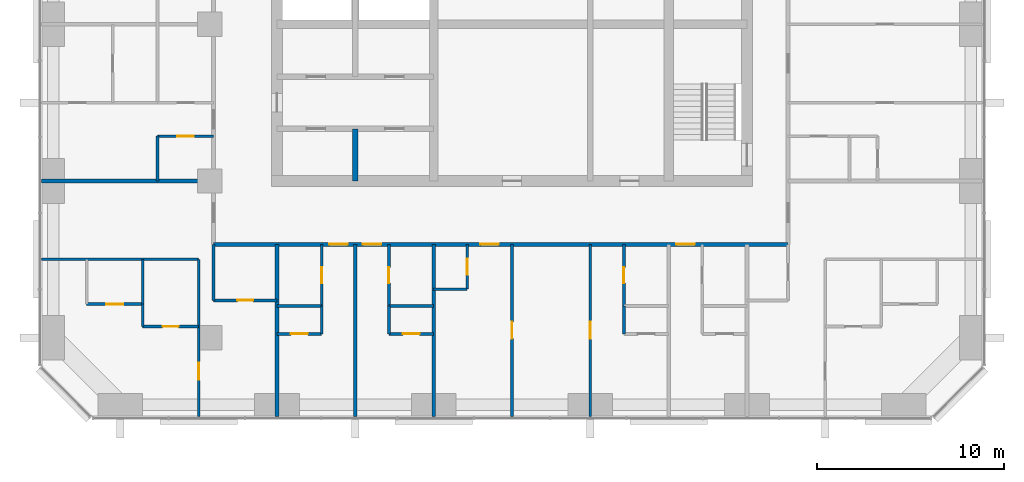
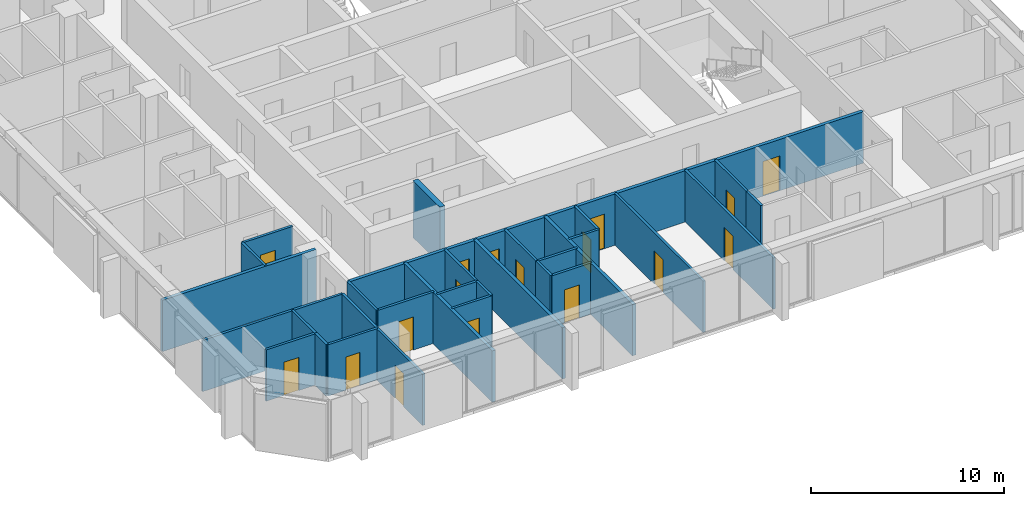
# One storey, part 8 of 14: 30 walls, 17 doors, 17 openings.
"""IFC4 building model written with IfcOpenShell, lengths in metres."""

from ifc_helpers import new_model, si_unit, direction, frame, frame_2d, origin, place, context, subcontext, project, spatial, rectangle, extrude, material, layer, layer_set, type_object, element, fill, save


model = new_model("IFC4")

# Units and contexts
model_context = context("Model", 3, precision=1e-05, world=origin(), true_north=direction((0.0, 1.0)))
body_context = subcontext(model_context, "Body", "Model", "MODEL_VIEW")
ifc_project = project(units=[si_unit("LENGTHUNIT", "METRE"), si_unit("AREAUNIT", "SQUARE_METRE"), si_unit("VOLUMEUNIT", "CUBIC_METRE"), si_unit("PLANEANGLEUNIT", "RADIAN"), si_unit("MASSUNIT", "GRAM", prefix="KILO")], contexts=[model_context])

# Site, building, storey
site_placement = place(None, origin())
site = spatial("IfcSite", under=ifc_project, at=site_placement, CompositionType="ELEMENT")
building_placement = place(site_placement, origin())
building = spatial("IfcBuilding", under=site, at=building_placement, Name="Dunama Terrace Hotel", CompositionType="ELEMENT")
storey_placement = place(building_placement, frame((0.0, 0.0, 198.60009765625)))
storey = spatial("IfcBuildingStorey", under=building, at=storey_placement, Name="L51", CompositionType="ELEMENT", Elevation=198.60009765625)

# Walls
ifc_material_1 = material(Name="Gypsum board partition", Category="masonry")
ifc_layer_1 = layer(ifc_material_1, 0.14990234375)
ifc_layer_set_1 = layer_set([ifc_layer_1], Name="Bathroom partition 150")
wall_type_1 = type_object("IfcWallType", Name="Bathroom partition 150", PredefinedType="PARTITIONING", material=ifc_layer_set_1)
wall_1_placement = place(storey_placement, frame((9.60009765625, 9.0, 0.0), z_axis=(0.0, 0.0, 1.0), x_axis=(0.0, 1.0, 0.0)))
element("IfcWall", 1, at=wall_1_placement, inside=storey, type_object=wall_type_1, Name="Bathroom partition 150 L51", PredefinedType="PARTITIONING", context=body_context, shape_type="SweptSolid", body=[
    extrude(rectangle(XDim=1.199951171875, YDim=0.14990234375, at=frame_2d((0.60009765625, 0.0))), origin(), (0.0, 0.0, 1.0), 3.25),
])
wall_2_placement = place(storey_placement, frame((13.39990234375, 10.39990234375, 0.0), z_axis=(0.0, 0.0, 1.0), x_axis=(0.0, 1.0, 0.0)))
element("IfcWall", 2, at=wall_2_placement, inside=storey, type_object=wall_type_1, Name="Bathroom partition 150 L51", PredefinedType="PARTITIONING", context=body_context, shape_type="SweptSolid", body=[
    extrude(rectangle(XDim=3.0, YDim=0.14990234375, at=frame_2d((1.5, 0.0))), origin(), (0.0, 0.0, 1.0), 3.25),
])

# Wall, opening, door
wall_3_placement = place(storey_placement, frame((19.199951171875, 10.10009765625, 0.0), z_axis=(0.0, 0.0, 1.0), x_axis=(0.0, 1.0, 0.0)))
wall_3 = element("IfcWall", 3, at=wall_3_placement, inside=storey, type_object=wall_type_1, Name="Bathroom partition 150 L51", PredefinedType="PARTITIONING", context=body_context, shape_type="SweptSolid", body=[
    extrude(rectangle(XDim=3.2998046875, YDim=0.14990234375, at=frame_2d((1.64990234375, 0.0))), origin(), (0.0, 0.0, 1.0), 3.25),
])
opening_1_placement = place(wall_3_placement, frame((1.22509765625, 0.0, 0.0)))
opening_1 = element("IfcOpeningElement", 4, at=opening_1_placement, cuts=wall_3, Name="Opening L51-52-010", PredefinedType="OPENING", context=body_context, shape_type="SweptSolid", body=[
    extrude(rectangle(XDim=0.85009765625, YDim=2.10009765625, at=frame_2d((0.425048828125, 1.050048828125))), frame((0.0, 0.0849609375, 0.0), z_axis=(0.0, -1.0, 0.0), x_axis=(1.0, 0.0, 0.0)), (0.0, 0.0, 1.0), 0.169921875),
])
ifc_material_2 = material(Name="Timber door with steel frame", Category="steel")
door_type_1 = type_object("IfcDoorType", Name="Bathroom door 850", OperationType="SINGLE_SWING_LEFT", PredefinedType="DOOR", material=ifc_material_2)
door_1_placement = place(opening_1_placement, origin())
door_1 = element("IfcDoor", 5, at=door_1_placement, inside=storey, type_object=door_type_1, Name="Door to en-suite bathroom L51-52-010, type D2", OperationType="SINGLE_SWING_RIGHT", OverallHeight=2.10009765625, OverallWidth=0.85009765625, PredefinedType="DOOR", context=body_context, shape_type="SweptSolid", body=[
    extrude(rectangle(XDim=0.85009765625, YDim=2.10009765625, at=frame_2d((0.425048828125, 1.050048828125))), frame((0.0, 0.02490234375, 0.0), z_axis=(0.0, -1.0, 0.0), x_axis=(1.0, 0.0, 0.0)), (0.0, 0.0, 1.0), 0.050048828125),
])
fill(opening_1, door_1)

wall_4_placement = place(storey_placement, frame((22.800048828125, 10.10009765625, 0.0), z_axis=(0.0, 0.0, 1.0), x_axis=(0.0, 1.0, 0.0)))
wall_4 = element("IfcWall", 6, at=wall_4_placement, inside=storey, type_object=wall_type_1, Name="Bathroom partition 150 L51", PredefinedType="PARTITIONING", context=body_context, shape_type="SweptSolid", body=[
    extrude(rectangle(XDim=3.2998046875, YDim=0.14990234375, at=frame_2d((1.64990234375, 0.0))), origin(), (0.0, 0.0, 1.0), 3.25),
])
opening_2_placement = place(wall_4_placement, frame((1.22509765625, 0.0, 0.0)))
opening_2 = element("IfcOpeningElement", 7, at=opening_2_placement, cuts=wall_4, Name="Opening L51-52-013", PredefinedType="OPENING", context=body_context, shape_type="SweptSolid", body=[
    extrude(rectangle(XDim=0.85009765625, YDim=2.10009765625, at=frame_2d((0.425048828125, 1.050048828125))), frame((0.0, 0.0849609375, 0.0), z_axis=(0.0, -1.0, 0.0), x_axis=(1.0, 0.0, 0.0)), (0.0, 0.0, 1.0), 0.169921875),
])
door_2_placement = place(opening_2_placement, frame((0.85009765625, 0.0, 0.0), z_axis=(0.0, 0.0, 1.0), x_axis=(-1.0, 0.0, 0.0)))
door_2 = element("IfcDoor", 8, at=door_2_placement, inside=storey, type_object=door_type_1, Name="Door to en-suite bathroom L51-52-013, type D2", OperationType="SINGLE_SWING_LEFT", OverallHeight=2.10009765625, OverallWidth=0.85009765625, PredefinedType="DOOR", context=body_context, shape_type="SweptSolid", body=[
    extrude(rectangle(XDim=0.85009765625, YDim=2.10009765625, at=frame_2d((0.425048828125, 1.050048828125))), frame((0.0, 0.025146484375, 0.0), z_axis=(0.0, -1.0, 0.0), x_axis=(1.0, 0.0, 0.0)), (0.0, 0.0, 1.0), 0.050048828125),
])
fill(opening_2, door_2)

wall_5_placement = place(storey_placement, frame((27.0, 11.0, 0.0), z_axis=(0.0, 0.0, 1.0), x_axis=(0.0, 1.0, 0.0)))
wall_5 = element("IfcWall", 9, at=wall_5_placement, inside=storey, type_object=wall_type_1, Name="Bathroom partition 150 L51", PredefinedType="PARTITIONING", context=body_context, shape_type="SweptSolid", body=[
    extrude(rectangle(XDim=2.39990234375, YDim=0.14990234375, at=frame_2d((1.199951171875, 0.0))), origin(), (0.0, 0.0, 1.0), 3.25),
])
opening_3_placement = place(wall_5_placement, frame((0.77490234375, 0.0, 0.0)))
opening_3 = element("IfcOpeningElement", 10, at=opening_3_placement, cuts=wall_5, Name="Opening L51-52-016", PredefinedType="OPENING", context=body_context, shape_type="SweptSolid", body=[
    extrude(rectangle(XDim=0.85009765625, YDim=2.10009765625, at=frame_2d((0.425048828125, 1.050048828125))), frame((0.0, 0.0849609375, 0.0), z_axis=(0.0, -1.0, 0.0), x_axis=(1.0, 0.0, 0.0)), (0.0, 0.0, 1.0), 0.169921875),
])
door_3_placement = place(opening_3_placement, origin())
door_3 = element("IfcDoor", 11, at=door_3_placement, inside=storey, type_object=door_type_1, Name="Door to powder room L51-52-016, type D2", OperationType="SINGLE_SWING_RIGHT", OverallHeight=2.10009765625, OverallWidth=0.85009765625, PredefinedType="DOOR", context=body_context, shape_type="SweptSolid", body=[
    extrude(rectangle(XDim=0.85009765625, YDim=2.10009765625, at=frame_2d((0.425048828125, 1.050048828125))), frame((0.0, 0.02490234375, 0.0), z_axis=(0.0, -1.0, 0.0), x_axis=(1.0, 0.0, 0.0)), (0.0, 0.0, 1.0), 0.050048828125),
])
fill(opening_3, door_3)

wall_6_placement = place(storey_placement, frame((35.39990234375, 10.10009765625, 0.0), z_axis=(0.0, 0.0, 1.0), x_axis=(0.0, 1.0, 0.0)))
wall_6 = element("IfcWall", 12, at=wall_6_placement, inside=storey, type_object=wall_type_1, Name="Bathroom partition 150 L51", PredefinedType="PARTITIONING", context=body_context, shape_type="SweptSolid", body=[
    extrude(rectangle(XDim=3.2998046875, YDim=0.14990234375, at=frame_2d((1.64990234375, 0.0))), origin(), (0.0, 0.0, 1.0), 3.25),
])
opening_4_placement = place(wall_6_placement, frame((1.22509765625, 0.0, 0.0)))
opening_4 = element("IfcOpeningElement", 13, at=opening_4_placement, cuts=wall_6, Name="Opening L51-52-019", PredefinedType="OPENING", context=body_context, shape_type="SweptSolid", body=[
    extrude(rectangle(XDim=0.85009765625, YDim=2.10009765625, at=frame_2d((0.425048828125, 1.050048828125))), frame((0.0, 0.0849609375, 0.0), z_axis=(0.0, -1.0, 0.0), x_axis=(1.0, 0.0, 0.0)), (0.0, 0.0, 1.0), 0.169921875),
])
door_4_placement = place(opening_4_placement, frame((0.85009765625, 0.0, 0.0), z_axis=(0.0, 0.0, 1.0), x_axis=(-1.0, 0.0, 0.0)))
door_4 = element("IfcDoor", 14, at=door_4_placement, inside=storey, type_object=door_type_1, Name="Door to en-suite bathroom L51-52-019, type D2", OperationType="SINGLE_SWING_LEFT", OverallHeight=2.10009765625, OverallWidth=0.85009765625, PredefinedType="DOOR", context=body_context, shape_type="SweptSolid", body=[
    extrude(rectangle(XDim=0.85009765625, YDim=2.10009765625, at=frame_2d((0.425048828125, 1.050048828125))), frame((0.0, 0.025146484375, 0.0), z_axis=(0.0, -1.0, 0.0), x_axis=(1.0, 0.0, 0.0)), (0.0, 0.0, 1.0), 0.050048828125),
])
fill(opening_4, door_4)

wall_7_placement = place(storey_placement, frame((9.60009765625, 9.0, 0.0), z_axis=(0.0, 0.0, 1.0), x_axis=(1.0, 0.0, 0.0)))
wall_7 = element("IfcWall", 15, at=wall_7_placement, inside=storey, type_object=wall_type_1, Name="Bathroom partition 150 L51", PredefinedType="PARTITIONING", context=body_context, shape_type="SweptSolid", body=[
    extrude(rectangle(XDim=3.0, YDim=0.14990234375, at=frame_2d((1.5, 0.0))), origin(), (0.0, 0.0, 1.0), 3.25),
])
opening_5_placement = place(wall_7_placement, frame((1.074951171875, 0.0, 0.0)))
opening_5 = element("IfcOpeningElement", 16, at=opening_5_placement, cuts=wall_7, Name="Opening L51-52-056", PredefinedType="OPENING", context=body_context, shape_type="SweptSolid", body=[
    extrude(rectangle(XDim=0.85009765625, YDim=2.10009765625, at=frame_2d((0.425048828125, 1.050048828125))), frame((0.0, 0.0849609375, 0.0), z_axis=(0.0, -1.0, 0.0), x_axis=(1.0, 0.0, 0.0)), (0.0, 0.0, 1.0), 0.169921875),
])
door_5_placement = place(opening_5_placement, origin())
door_5 = element("IfcDoor", 17, at=door_5_placement, inside=storey, type_object=door_type_1, Name="Door to en-suite bathroom L51-52-056, type D2", OperationType="SINGLE_SWING_LEFT", OverallHeight=2.10009765625, OverallWidth=0.85009765625, PredefinedType="DOOR", context=body_context, shape_type="SweptSolid", body=[
    extrude(rectangle(XDim=0.85009765625, YDim=2.10009765625, at=frame_2d((0.425048828125, 1.050048828125))), frame((0.0, 0.02490234375, 0.0), z_axis=(0.0, -1.0, 0.0), x_axis=(1.0, 0.0, 0.0)), (0.0, 0.0, 1.0), 0.050048828125),
])
fill(opening_5, door_5)

wall_8_placement = place(storey_placement, frame((13.39990234375, 10.39990234375, 0.0), z_axis=(0.0, 0.0, 1.0), x_axis=(1.0, 0.0, 0.0)))
wall_8 = element("IfcWall", 18, at=wall_8_placement, inside=storey, type_object=wall_type_1, Name="Bathroom partition 150 L51", PredefinedType="PARTITIONING", context=body_context, shape_type="SweptSolid", body=[
    extrude(rectangle(XDim=3.400146484375, YDim=0.14990234375, at=frame_2d((1.7001953125, 0.0))), origin(), (0.0, 0.0, 1.0), 3.25),
])
opening_6_placement = place(wall_8_placement, frame((1.27490234375, 0.0, 0.0)))
opening_6 = element("IfcOpeningElement", 19, at=opening_6_placement, cuts=wall_8, Name="Opening L51-52-054", PredefinedType="OPENING", context=body_context, shape_type="SweptSolid", body=[
    extrude(rectangle(XDim=0.85009765625, YDim=2.10009765625, at=frame_2d((0.425048828125, 1.050048828125))), frame((0.0, 0.0849609375, 0.0), z_axis=(0.0, -1.0, 0.0), x_axis=(1.0, 0.0, 0.0)), (0.0, 0.0, 1.0), 0.169921875),
])
door_6_placement = place(opening_6_placement, origin())
door_6 = element("IfcDoor", 20, at=door_6_placement, inside=storey, type_object=door_type_1, Name="Door to powder room L51-52-054, type D2", OperationType="SINGLE_SWING_RIGHT", OverallHeight=2.10009765625, OverallWidth=0.85009765625, PredefinedType="DOOR", context=body_context, shape_type="SweptSolid", body=[
    extrude(rectangle(XDim=0.85009765625, YDim=2.10009765625, at=frame_2d((0.425048828125, 1.050048828125))), frame((0.0, 0.02490234375, 0.0), z_axis=(0.0, -1.0, 0.0), x_axis=(1.0, 0.0, 0.0)), (0.0, 0.0, 1.0), 0.050048828125),
])
fill(opening_6, door_6)

# Walls
wall_9_placement = place(storey_placement, frame((25.199951171875, 11.0, 0.0), z_axis=(0.0, 0.0, 1.0), x_axis=(1.0, 0.0, 0.0)))
element("IfcWall", 21, at=wall_9_placement, inside=storey, type_object=wall_type_1, Name="Bathroom partition 150 L51", PredefinedType="PARTITIONING", context=body_context, shape_type="SweptSolid", body=[
    extrude(rectangle(XDim=1.800048828125, YDim=0.14990234375, at=frame_2d((0.89990234375, 0.0))), origin(), (0.0, 0.0, 1.0), 3.25),
])
ifc_material_3 = material(Name="Concrete C50/60", Category="concrete")
ifc_layer_2 = layer(ifc_material_3, 0.300048828125)
ifc_layer_set_2 = layer_set([ifc_layer_2], Name="Core inner wall 300")
wall_type_2 = type_object("IfcWallType", Name="Core inner wall 300", PredefinedType="SHEAR", material=ifc_layer_set_2)
wall_10_placement = place(storey_placement, frame((21.0, 16.800048828125, -0.35009765625), z_axis=(0.0, 0.0, 1.0), x_axis=(0.0, 1.0, 0.0)))
element("IfcWall", 22, at=wall_10_placement, inside=storey, type_object=wall_type_2, Name="Core inner wall 300 L51", PredefinedType="SHEAR", context=body_context, shape_type="SweptSolid", body=[
    extrude(rectangle(XDim=2.800048828125, YDim=0.300048828125, at=frame_2d((1.39990234375, 0.0))), origin(), (0.0, 0.0, 1.0), 3.60009765625),
])

# Wall, openings, doors
ifc_material_4 = material(Name="Concrete blockwork", Category="masonry")
ifc_layer_3 = layer(ifc_material_4, 0.199951171875)
ifc_layer_set_3 = layer_set([ifc_layer_3], Name="Corridor partition 200")
wall_type_3 = type_object("IfcWallType", Name="Corridor partition 200", PredefinedType="PARTITIONING", material=ifc_layer_set_3)
wall_11_placement = place(storey_placement, frame((44.199951171875, 13.39990234375, 0.0), z_axis=(0.0, 0.0, 1.0), x_axis=(-1.0, 0.0, 0.0)))
wall_11 = element("IfcWall", 23, at=wall_11_placement, inside=storey, type_object=wall_type_3, Name="Corridor partition 200 L51", PredefinedType="PARTITIONING", context=body_context, shape_type="SweptSolid", body=[
    extrude(rectangle(XDim=30.800048828125, YDim=0.199951171875, at=frame_2d((15.39990234375, 0.0))), origin(), (0.0, 0.0, 1.0), 3.25),
])
opening_7_placement = place(wall_11_placement, frame((23.60009765625, 0.0, 0.0)))
opening_7 = element("IfcOpeningElement", 24, at=opening_7_placement, cuts=wall_11, Name="Opening L51-52-009", PredefinedType="OPENING", context=body_context, shape_type="SweptSolid", body=[
    extrude(rectangle(XDim=1.0, YDim=2.199951171875, at=frame_2d((0.5, 1.10009765625))), frame((0.0, 0.10986328125, 0.0), z_axis=(0.0, -1.0, 0.0), x_axis=(1.0, 0.0, 0.0)), (0.0, 0.0, 1.0), 0.219970703125),
])
opening_8_placement = place(wall_11_placement, frame((21.800048828125, 0.0, 0.0)))
opening_8 = element("IfcOpeningElement", 25, at=opening_8_placement, cuts=wall_11, Name="Opening L51-52-012", PredefinedType="OPENING", context=body_context, shape_type="SweptSolid", body=[
    extrude(rectangle(XDim=1.0, YDim=2.199951171875, at=frame_2d((0.5, 1.10009765625))), frame((0.0, 0.10986328125, 0.0), z_axis=(0.0, -1.0, 0.0), x_axis=(1.0, 0.0, 0.0)), (0.0, 0.0, 1.0), 0.219970703125),
])
opening_9_placement = place(wall_11_placement, frame((15.5, 0.0, 0.0)))
opening_9 = element("IfcOpeningElement", 26, at=opening_9_placement, cuts=wall_11, Name="Opening L51-52-015", PredefinedType="OPENING", context=body_context, shape_type="SweptSolid", body=[
    extrude(rectangle(XDim=1.0, YDim=2.199951171875, at=frame_2d((0.5, 1.10009765625))), frame((0.0, 0.10986328125, 0.0), z_axis=(0.0, -1.0, 0.0), x_axis=(1.0, 0.0, 0.0)), (0.0, 0.0, 1.0), 0.219970703125),
])
opening_10_placement = place(wall_11_placement, frame((5.0, 0.0, 0.0)))
opening_10 = element("IfcOpeningElement", 27, at=opening_10_placement, cuts=wall_11, Name="Opening L51-52-021", PredefinedType="OPENING", context=body_context, shape_type="SweptSolid", body=[
    extrude(rectangle(XDim=1.0, YDim=2.199951171875, at=frame_2d((0.5, 1.10009765625))), frame((0.0, 0.10986328125, 0.0), z_axis=(0.0, -1.0, 0.0), x_axis=(1.0, 0.0, 0.0)), (0.0, 0.0, 1.0), 0.219970703125),
])
ifc_material_5 = material(Name="Timber door with steel frame", Category="steel")
door_type_2 = type_object("IfcDoorType", Name="Guest room door 1000", OperationType="SINGLE_SWING_LEFT", PredefinedType="DOOR", material=ifc_material_5)
door_7_placement = place(opening_7_placement, origin())
door_7 = element("IfcDoor", 28, at=door_7_placement, inside=storey, type_object=door_type_2, Name="Door to club room L51-52-009, type D1", OperationType="SINGLE_SWING_LEFT", OverallHeight=2.199951171875, OverallWidth=1.0, PredefinedType="DOOR", context=body_context, shape_type="SweptSolid", body=[
    extrude(rectangle(XDim=1.0, YDim=2.199951171875, at=frame_2d((0.5, 1.10009765625))), frame((0.0, 0.02490234375, 0.0), z_axis=(0.0, -1.0, 0.0), x_axis=(1.0, 0.0, 0.0)), (0.0, 0.0, 1.0), 0.050048828125),
])
fill(opening_7, door_7)
door_8_placement = place(opening_8_placement, origin())
door_8 = element("IfcDoor", 29, at=door_8_placement, inside=storey, type_object=door_type_2, Name="Door to club room L51-52-012, type D1", OperationType="SINGLE_SWING_RIGHT", OverallHeight=2.199951171875, OverallWidth=1.0, PredefinedType="DOOR", context=body_context, shape_type="SweptSolid", body=[
    extrude(rectangle(XDim=1.0, YDim=2.199951171875, at=frame_2d((0.5, 1.10009765625))), frame((0.0, 0.02490234375, 0.0), z_axis=(0.0, -1.0, 0.0), x_axis=(1.0, 0.0, 0.0)), (0.0, 0.0, 1.0), 0.050048828125),
])
fill(opening_8, door_8)
door_9_placement = place(opening_9_placement, origin())
door_9 = element("IfcDoor", 30, at=door_9_placement, inside=storey, type_object=door_type_2, Name="Door to ambassador suite living room L51-52-015, type D1", OperationType="SINGLE_SWING_LEFT", OverallHeight=2.199951171875, OverallWidth=1.0, PredefinedType="DOOR", context=body_context, shape_type="SweptSolid", body=[
    extrude(rectangle(XDim=1.0, YDim=2.199951171875, at=frame_2d((0.5, 1.10009765625))), frame((0.0, 0.02490234375, 0.0), z_axis=(0.0, -1.0, 0.0), x_axis=(1.0, 0.0, 0.0)), (0.0, 0.0, 1.0), 0.050048828125),
])
fill(opening_9, door_9)
door_10_placement = place(opening_10_placement, origin())
door_10 = element("IfcDoor", 31, at=door_10_placement, inside=storey, type_object=door_type_2, Name="Door to club room L51-52-021, type D1", OperationType="SINGLE_SWING_RIGHT", OverallHeight=2.199951171875, OverallWidth=1.0, PredefinedType="DOOR", context=body_context, shape_type="SweptSolid", body=[
    extrude(rectangle(XDim=1.0, YDim=2.199951171875, at=frame_2d((0.5, 1.10009765625))), frame((0.0, 0.02490234375, 0.0), z_axis=(0.0, -1.0, 0.0), x_axis=(1.0, 0.0, 0.0)), (0.0, 0.0, 1.0), 0.050048828125),
])
fill(opening_10, door_10)

# Walls
ifc_material_6 = material(Name="Concrete blockwork", Category="masonry")
ifc_layer_4 = layer(ifc_material_6, 0.199951171875)
ifc_layer_set_4 = layer_set([ifc_layer_4], Name="Party wall 200")
wall_type_4 = type_object("IfcWallType", Name="Party wall 200", PredefinedType="PARTITIONING", material=ifc_layer_set_4)
for number, where, z_axis, x_axis, name in (
    (32, (16.800048828125, 4.181884765625, 0.0), (0.0, 0.0, 1.0), (0.0, 1.0, 0.0), "Party wall 200 L51"),
    (33, (21.0, 4.181884765625, 0.0), (0.0, 0.0, 1.0), (0.0, 1.0, 0.0), "Party wall 200 L51"),
    (34, (25.199951171875, 4.181884765625, 0.0), (0.0, 0.0, 1.0), (0.0, 1.0, 0.0), "Party wall 200 L51"),
    (35, (4.181884765625, 16.800048828125, 0.0), (0.0, 0.0, 1.0), (1.0, 0.0, 0.0), "Party wall 200 L51"),
):
    element("IfcWall", number, at=place(storey_placement, frame(where, z_axis=z_axis, x_axis=x_axis)), inside=storey, type_object=wall_type_4, Name=name, PredefinedType="PARTITIONING", context=body_context, shape_type="SweptSolid", body=[
        extrude(rectangle(XDim=9.218017578125, YDim=0.199951171875, at=frame_2d((4.60888671875, 0.0))), origin(), (0.0, 0.0, 1.0), 3.25),
    ])
ifc_material_7 = material(Name="Gypsum board partition", Category="masonry")
ifc_layer_5 = layer(ifc_material_7, 0.14990234375)
ifc_layer_set_5 = layer_set([ifc_layer_5], Name="Room partition 150")
wall_type_5 = type_object("IfcWallType", Name="Room partition 150", PredefinedType="PARTITIONING", material=ifc_layer_set_5)
wall_12_placement = place(storey_placement, frame((9.60009765625, 10.199951171875, 0.0), z_axis=(0.0, 0.0, 1.0), x_axis=(0.0, 1.0, 0.0)))
element("IfcWall", 36, at=wall_12_placement, inside=storey, type_object=wall_type_5, Name="Room partition 150 L51", PredefinedType="PARTITIONING", context=body_context, shape_type="SweptSolid", body=[
    extrude(rectangle(XDim=2.400146484375, YDim=0.14990234375, at=frame_2d((1.2001953125, 0.0))), origin(), (0.0, 0.0, 1.0), 3.25),
])
wall_13_placement = place(storey_placement, frame((10.39990234375, 16.800048828125, 0.0), z_axis=(0.0, 0.0, 1.0), x_axis=(0.0, 1.0, 0.0)))
element("IfcWall", 37, at=wall_13_placement, inside=storey, type_object=wall_type_5, Name="Room partition 150 L51", PredefinedType="PARTITIONING", context=body_context, shape_type="SweptSolid", body=[
    extrude(rectangle(XDim=2.39990234375, YDim=0.14990234375, at=frame_2d((1.199951171875, 0.0))), origin(), (0.0, 0.0, 1.0), 3.25),
])

# Wall, opening, door
wall_14_placement = place(storey_placement, frame((12.60009765625, 4.181884765625, 0.0), z_axis=(0.0, 0.0, 1.0), x_axis=(0.0, 1.0, 0.0)))
wall_14 = element("IfcWall", 38, at=wall_14_placement, inside=storey, type_object=wall_type_5, Name="Room partition 150 L51", PredefinedType="PARTITIONING", context=body_context, shape_type="SweptSolid", body=[
    extrude(rectangle(XDim=8.418212890625, YDim=0.14990234375, at=frame_2d((4.208984375, 0.0))), origin(), (0.0, 0.0, 1.0), 3.25),
])
opening_11_placement = place(wall_14_placement, frame((1.968017578125, 0.0, 0.0)))
opening_11 = element("IfcOpeningElement", 39, at=opening_11_placement, cuts=wall_14, Name="Opening L51-52-055", PredefinedType="OPENING", context=body_context, shape_type="SweptSolid", body=[
    extrude(rectangle(XDim=0.89990234375, YDim=2.10009765625, at=frame_2d((0.449951171875, 1.050048828125))), frame((0.0, 0.0849609375, 0.0), z_axis=(0.0, -1.0, 0.0), x_axis=(1.0, 0.0, 0.0)), (0.0, 0.0, 1.0), 0.169921875),
])
ifc_material_8 = material(Name="Timber door with steel frame", Category="steel")
door_type_3 = type_object("IfcDoorType", Name="Suite internal door 900", OperationType="SINGLE_SWING_LEFT", PredefinedType="DOOR", material=ifc_material_8)
door_11_placement = place(opening_11_placement, origin())
door_11 = element("IfcDoor", 40, at=door_11_placement, inside=storey, type_object=door_type_3, Name="Door to corner suite bedroom L51-52-055, type D16", OperationType="SINGLE_SWING_RIGHT", OverallHeight=2.10009765625, OverallWidth=0.89990234375, PredefinedType="DOOR", context=body_context, shape_type="SweptSolid", body=[
    extrude(rectangle(XDim=0.89990234375, YDim=2.10009765625, at=frame_2d((0.449951171875, 1.050048828125))), frame((0.0, 0.02490234375, 0.0), z_axis=(0.0, -1.0, 0.0), x_axis=(1.0, 0.0, 0.0)), (0.0, 0.0, 1.0), 0.050048828125),
])
fill(opening_11, door_11)

# Walls
for number, where, z_axis, x_axis, name in (
    (41, (19.199951171875, 8.60009765625, 0.0), (0.0, 0.0, 1.0), (0.0, 1.0, 0.0), "Room partition 150 L51"),
    (42, (22.800048828125, 8.60009765625, 0.0), (0.0, 0.0, 1.0), (0.0, 1.0, 0.0), "Room partition 150 L51"),
):
    element("IfcWall", number, at=place(storey_placement, frame(where, z_axis=z_axis, x_axis=x_axis)), inside=storey, type_object=wall_type_5, Name=name, PredefinedType="PARTITIONING", context=body_context, shape_type="SweptSolid", body=[
        extrude(rectangle(XDim=1.5, YDim=0.14990234375, at=frame_2d((0.75, 0.0))), origin(), (0.0, 0.0, 1.0), 3.25),
    ])

# Wall, opening, door
wall_15_placement = place(storey_placement, frame((29.39990234375, 4.181884765625, 0.0), z_axis=(0.0, 0.0, 1.0), x_axis=(0.0, 1.0, 0.0)))
wall_15 = element("IfcWall", 43, at=wall_15_placement, inside=storey, type_object=wall_type_5, Name="Room partition 150 L51", PredefinedType="PARTITIONING", context=body_context, shape_type="SweptSolid", body=[
    extrude(rectangle(XDim=9.218017578125, YDim=0.14990234375, at=frame_2d((4.60888671875, 0.0))), origin(), (0.0, 0.0, 1.0), 3.25),
])
opening_12_placement = place(wall_15_placement, frame((4.16796875, 0.0, 0.0)))
opening_12 = element("IfcOpeningElement", 44, at=opening_12_placement, cuts=wall_15, Name="Opening L51-52-017", PredefinedType="OPENING", context=body_context, shape_type="SweptSolid", body=[
    extrude(rectangle(XDim=0.89990234375, YDim=2.10009765625, at=frame_2d((0.449951171875, 1.050048828125))), frame((0.0, 0.0849609375, 0.0), z_axis=(0.0, -1.0, 0.0), x_axis=(1.0, 0.0, 0.0)), (0.0, 0.0, 1.0), 0.169921875),
])
door_12_placement = place(opening_12_placement, origin())
door_12 = element("IfcDoor", 45, at=door_12_placement, inside=storey, type_object=door_type_3, Name="Door to ambassador suite study L51-52-017, type D16", OperationType="SINGLE_SWING_RIGHT", OverallHeight=2.10009765625, OverallWidth=0.89990234375, PredefinedType="DOOR", context=body_context, shape_type="SweptSolid", body=[
    extrude(rectangle(XDim=0.89990234375, YDim=2.10009765625, at=frame_2d((0.449951171875, 1.050048828125))), frame((0.0, 0.02490234375, 0.0), z_axis=(0.0, -1.0, 0.0), x_axis=(1.0, 0.0, 0.0)), (0.0, 0.0, 1.0), 0.050048828125),
])
fill(opening_12, door_12)

wall_16_placement = place(storey_placement, frame((33.60009765625, 4.181884765625, 0.0), z_axis=(0.0, 0.0, 1.0), x_axis=(0.0, 1.0, 0.0)))
wall_16 = element("IfcWall", 46, at=wall_16_placement, inside=storey, type_object=wall_type_5, Name="Room partition 150 L51", PredefinedType="PARTITIONING", context=body_context, shape_type="SweptSolid", body=[
    extrude(rectangle(XDim=9.218017578125, YDim=0.14990234375, at=frame_2d((4.60888671875, 0.0))), origin(), (0.0, 0.0, 1.0), 3.25),
])
opening_13_placement = place(wall_16_placement, frame((4.16796875, 0.0, 0.0)))
opening_13 = element("IfcOpeningElement", 47, at=opening_13_placement, cuts=wall_16, Name="Opening L51-52-018", PredefinedType="OPENING", context=body_context, shape_type="SweptSolid", body=[
    extrude(rectangle(XDim=0.89990234375, YDim=2.10009765625, at=frame_2d((0.449951171875, 1.050048828125))), frame((0.0, 0.0849609375, 0.0), z_axis=(0.0, -1.0, 0.0), x_axis=(1.0, 0.0, 0.0)), (0.0, 0.0, 1.0), 0.169921875),
])
door_13_placement = place(opening_13_placement, frame((0.89990234375, 0.0, 0.0), z_axis=(0.0, 0.0, 1.0), x_axis=(-1.0, 0.0, 0.0)))
door_13 = element("IfcDoor", 48, at=door_13_placement, inside=storey, type_object=door_type_3, Name="Door to ambassador suite bedroom L51-52-018, type D16", OperationType="SINGLE_SWING_LEFT", OverallHeight=2.10009765625, OverallWidth=0.89990234375, PredefinedType="DOOR", context=body_context, shape_type="SweptSolid", body=[
    extrude(rectangle(XDim=0.89990234375, YDim=2.10009765625, at=frame_2d((0.449951171875, 1.050048828125))), frame((0.0, 0.025146484375, 0.0), z_axis=(0.0, -1.0, 0.0), x_axis=(1.0, 0.0, 0.0)), (0.0, 0.0, 1.0), 0.050048828125),
])
fill(opening_13, door_13)

# Wall
wall_17_placement = place(storey_placement, frame((35.39990234375, 8.60009765625, 0.0), z_axis=(0.0, 0.0, 1.0), x_axis=(0.0, 1.0, 0.0)))
element("IfcWall", 49, at=wall_17_placement, inside=storey, type_object=wall_type_5, Name="Room partition 150 L51", PredefinedType="PARTITIONING", context=body_context, shape_type="SweptSolid", body=[
    extrude(rectangle(XDim=1.5, YDim=0.14990234375, at=frame_2d((0.75, 0.0))), origin(), (0.0, 0.0, 1.0), 3.25),
])

# Wall, opening, door
wall_18_placement = place(storey_placement, frame((16.800048828125, 8.60009765625, 0.0), z_axis=(0.0, 0.0, 1.0), x_axis=(1.0, 0.0, 0.0)))
wall_18 = element("IfcWall", 50, at=wall_18_placement, inside=storey, type_object=wall_type_5, Name="Room partition 150 L51", PredefinedType="PARTITIONING", context=body_context, shape_type="SweptSolid", body=[
    extrude(rectangle(XDim=2.39990234375, YDim=0.14990234375, at=frame_2d((1.199951171875, 0.0))), origin(), (0.0, 0.0, 1.0), 3.25),
])
opening_14_placement = place(wall_18_placement, frame((0.75, 0.0, 0.0)))
opening_14 = element("IfcOpeningElement", 51, at=opening_14_placement, cuts=wall_18, Name="Opening L51-52-011", PredefinedType="OPENING", context=body_context, shape_type="SweptSolid", body=[
    extrude(rectangle(XDim=0.89990234375, YDim=2.10009765625, at=frame_2d((0.449951171875, 1.050048828125))), frame((0.0, 0.0849609375, 0.0), z_axis=(0.0, -1.0, 0.0), x_axis=(1.0, 0.0, 0.0)), (0.0, 0.0, 1.0), 0.169921875),
])
door_14_placement = place(opening_14_placement, origin())
door_14 = element("IfcDoor", 52, at=door_14_placement, inside=storey, type_object=door_type_3, Name="Door to walk-in wardrobe L51-52-011, type D16", OperationType="SINGLE_SWING_LEFT", OverallHeight=2.10009765625, OverallWidth=0.89990234375, PredefinedType="DOOR", context=body_context, shape_type="SweptSolid", body=[
    extrude(rectangle(XDim=0.89990234375, YDim=2.10009765625, at=frame_2d((0.449951171875, 1.050048828125))), frame((0.0, 0.02490234375, 0.0), z_axis=(0.0, -1.0, 0.0), x_axis=(1.0, 0.0, 0.0)), (0.0, 0.0, 1.0), 0.050048828125),
])
fill(opening_14, door_14)

wall_19_placement = place(storey_placement, frame((22.800048828125, 8.60009765625, 0.0), z_axis=(0.0, 0.0, 1.0), x_axis=(1.0, 0.0, 0.0)))
wall_19 = element("IfcWall", 53, at=wall_19_placement, inside=storey, type_object=wall_type_5, Name="Room partition 150 L51", PredefinedType="PARTITIONING", context=body_context, shape_type="SweptSolid", body=[
    extrude(rectangle(XDim=2.39990234375, YDim=0.14990234375, at=frame_2d((1.199951171875, 0.0))), origin(), (0.0, 0.0, 1.0), 3.25),
])
opening_15_placement = place(wall_19_placement, frame((0.75, 0.0, 0.0)))
opening_15 = element("IfcOpeningElement", 54, at=opening_15_placement, cuts=wall_19, Name="Opening L51-52-014", PredefinedType="OPENING", context=body_context, shape_type="SweptSolid", body=[
    extrude(rectangle(XDim=0.89990234375, YDim=2.10009765625, at=frame_2d((0.449951171875, 1.050048828125))), frame((0.0, 0.0849609375, 0.0), z_axis=(0.0, -1.0, 0.0), x_axis=(1.0, 0.0, 0.0)), (0.0, 0.0, 1.0), 0.169921875),
])
door_15_placement = place(opening_15_placement, origin())
door_15 = element("IfcDoor", 55, at=door_15_placement, inside=storey, type_object=door_type_3, Name="Door to walk-in wardrobe L51-52-014, type D16", OperationType="SINGLE_SWING_LEFT", OverallHeight=2.10009765625, OverallWidth=0.89990234375, PredefinedType="DOOR", context=body_context, shape_type="SweptSolid", body=[
    extrude(rectangle(XDim=0.89990234375, YDim=2.10009765625, at=frame_2d((0.449951171875, 1.050048828125))), frame((0.0, 0.02490234375, 0.0), z_axis=(0.0, -1.0, 0.0), x_axis=(1.0, 0.0, 0.0)), (0.0, 0.0, 1.0), 0.050048828125),
])
fill(opening_15, door_15)

# Walls
for number, where, z_axis, x_axis, name in (
    (56, (16.800048828125, 10.10009765625, 0.0), (0.0, 0.0, 1.0), (1.0, 0.0, 0.0), "Room partition 150 L51"),
    (57, (22.800048828125, 10.10009765625, 0.0), (0.0, 0.0, 1.0), (1.0, 0.0, 0.0), "Room partition 150 L51"),
):
    element("IfcWall", number, at=place(storey_placement, frame(where, z_axis=z_axis, x_axis=x_axis)), inside=storey, type_object=wall_type_5, Name=name, PredefinedType="PARTITIONING", context=body_context, shape_type="SweptSolid", body=[
        extrude(rectangle(XDim=2.39990234375, YDim=0.14990234375, at=frame_2d((1.199951171875, 0.0))), origin(), (0.0, 0.0, 1.0), 3.25),
    ])

# Wall, opening, door
wall_20_placement = place(storey_placement, frame((6.60009765625, 10.199951171875, 0.0), z_axis=(0.0, 0.0, 1.0), x_axis=(1.0, 0.0, 0.0)))
wall_20 = element("IfcWall", 58, at=wall_20_placement, inside=storey, type_object=wall_type_5, Name="Room partition 150 L51", PredefinedType="PARTITIONING", context=body_context, shape_type="SweptSolid", body=[
    extrude(rectangle(XDim=3.0, YDim=0.14990234375, at=frame_2d((1.5, 0.0))), origin(), (0.0, 0.0, 1.0), 3.25),
])
opening_16_placement = place(wall_20_placement, frame((1.050048828125, 0.0, 0.0)))
opening_16 = element("IfcOpeningElement", 59, at=opening_16_placement, cuts=wall_20, Name="Opening L51-52-057", PredefinedType="OPENING", context=body_context, shape_type="SweptSolid", body=[
    extrude(rectangle(XDim=0.89990234375, YDim=2.10009765625, at=frame_2d((0.449951171875, 1.050048828125))), frame((0.0, 0.0849609375, 0.0), z_axis=(0.0, -1.0, 0.0), x_axis=(1.0, 0.0, 0.0)), (0.0, 0.0, 1.0), 0.169921875),
])
door_16_placement = place(opening_16_placement, origin())
door_16 = element("IfcDoor", 60, at=door_16_placement, inside=storey, type_object=door_type_3, Name="Door to dressing room L51-52-057, type D16", OperationType="SINGLE_SWING_LEFT", OverallHeight=2.10009765625, OverallWidth=0.89990234375, PredefinedType="DOOR", context=body_context, shape_type="SweptSolid", body=[
    extrude(rectangle(XDim=0.89990234375, YDim=2.10009765625, at=frame_2d((0.449951171875, 1.050048828125))), frame((0.0, 0.02490234375, 0.0), z_axis=(0.0, -1.0, 0.0), x_axis=(1.0, 0.0, 0.0)), (0.0, 0.0, 1.0), 0.050048828125),
])
fill(opening_16, door_16)

# Wall
wall_21_placement = place(storey_placement, frame((4.181884765625, 12.60009765625, 0.0), z_axis=(0.0, 0.0, 1.0), x_axis=(1.0, 0.0, 0.0)))
element("IfcWall", 61, at=wall_21_placement, inside=storey, type_object=wall_type_5, Name="Room partition 150 L51", PredefinedType="PARTITIONING", context=body_context, shape_type="SweptSolid", body=[
    extrude(rectangle(XDim=8.418212890625, YDim=0.14990234375, at=frame_2d((4.208984375, 0.0))), origin(), (0.0, 0.0, 1.0), 3.25),
])

# Wall, opening, door
wall_22_placement = place(storey_placement, frame((10.39990234375, 19.199951171875, 0.0), z_axis=(0.0, 0.0, 1.0), x_axis=(1.0, 0.0, 0.0)))
wall_22 = element("IfcWall", 62, at=wall_22_placement, inside=storey, type_object=wall_type_5, Name="Room partition 150 L51", PredefinedType="PARTITIONING", context=body_context, shape_type="SweptSolid", body=[
    extrude(rectangle(XDim=3.0, YDim=0.14990234375, at=frame_2d((1.5, 0.0))), origin(), (0.0, 0.0, 1.0), 3.25),
])
opening_17_placement = place(wall_22_placement, frame((1.050048828125, 0.0, 0.0)))
opening_17 = element("IfcOpeningElement", 63, at=opening_17_placement, cuts=wall_22, Name="Opening L51-52-039", PredefinedType="OPENING", context=body_context, shape_type="SweptSolid", body=[
    extrude(rectangle(XDim=0.89990234375, YDim=2.10009765625, at=frame_2d((0.449951171875, 1.050048828125))), frame((0.0, 0.0849609375, 0.0), z_axis=(0.0, -1.0, 0.0), x_axis=(1.0, 0.0, 0.0)), (0.0, 0.0, 1.0), 0.169921875),
])
door_17_placement = place(opening_17_placement, frame((0.89990234375, 0.0, 0.0), z_axis=(0.0, 0.0, 1.0), x_axis=(-1.0, 0.0, 0.0)))
door_17 = element("IfcDoor", 64, at=door_17_placement, inside=storey, type_object=door_type_3, Name="Door to diplomatic residence kitchen L51-52-039, type D16", OperationType="SINGLE_SWING_LEFT", OverallHeight=2.10009765625, OverallWidth=0.89990234375, PredefinedType="DOOR", context=body_context, shape_type="SweptSolid", body=[
    extrude(rectangle(XDim=0.89990234375, YDim=2.10009765625, at=frame_2d((0.449951171875, 1.050048828125))), frame((0.0, 0.025146484375, 0.0), z_axis=(0.0, -1.0, 0.0), x_axis=(1.0, 0.0, 0.0)), (0.0, 0.0, 1.0), 0.050048828125),
])
fill(opening_17, door_17)

save(model, "model.ifc")
